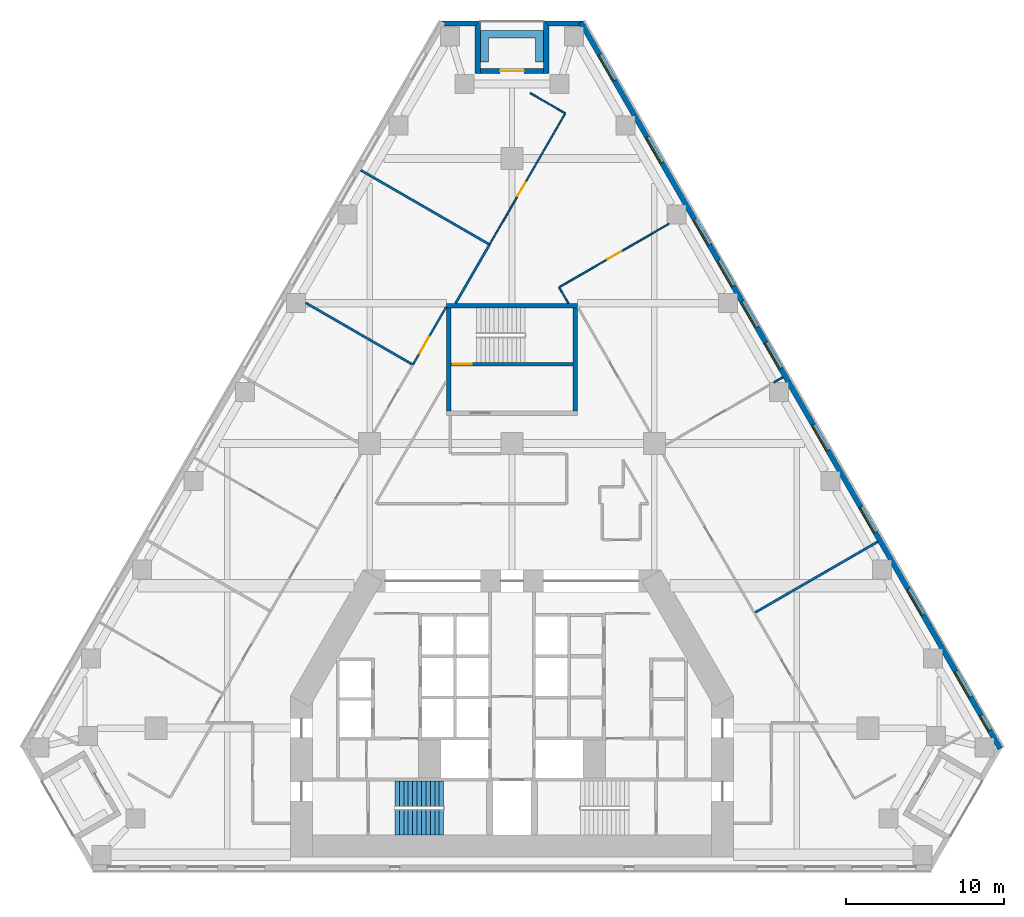
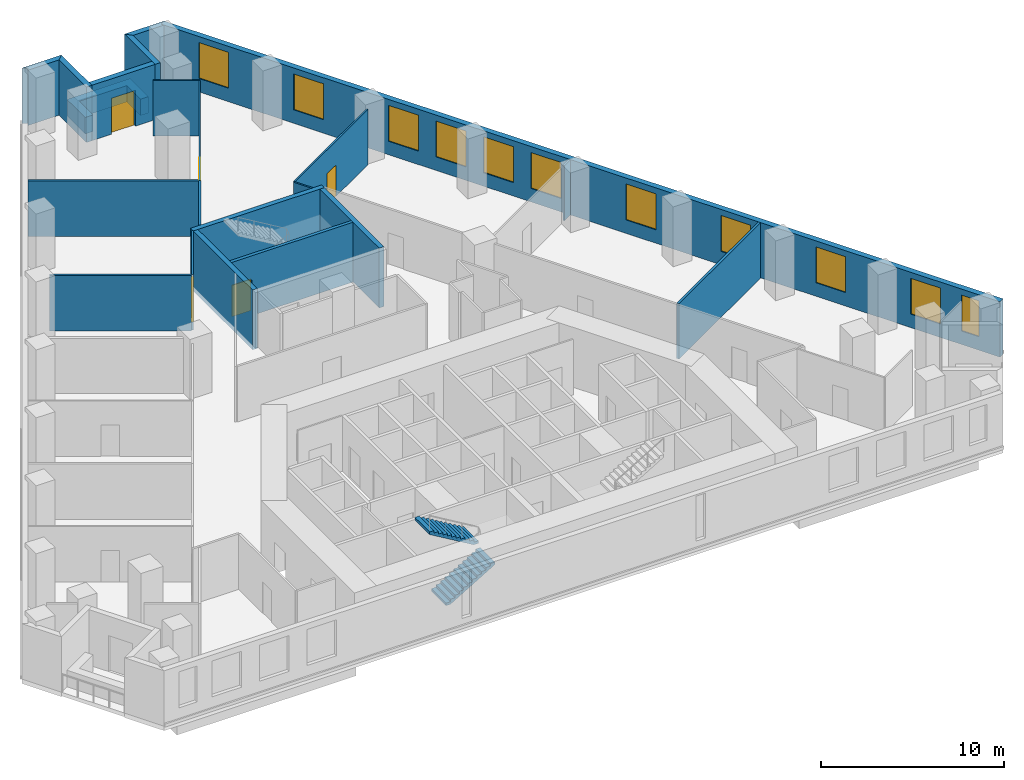
# One storey, part 7 of 9: 21 walls, 11 windows, 5 doors, 2 stair flights, 16 openings, 1 element without a shape of its own.
"""IFC4 building model written with IfcOpenShell, lengths in metres."""

from ifc_helpers import new_model, si_unit, direction, frame, frame_2d, origin, place, context, subcontext, project, spatial, polyline, rectangle, outline, extrude, material, layer, layer_set, type_object, element, fill, aggregate, save


model = new_model("IFC4")

# Units and contexts
model_context = context("Model", 3, precision=1e-05, world=origin(), true_north=direction((0.0, 1.0)))
body_context = subcontext(model_context, "Body", "Model", "MODEL_VIEW")
ifc_project = project(units=[si_unit("LENGTHUNIT", "METRE"), si_unit("AREAUNIT", "SQUARE_METRE"), si_unit("VOLUMEUNIT", "CUBIC_METRE"), si_unit("PLANEANGLEUNIT", "RADIAN"), si_unit("MASSUNIT", "GRAM", prefix="KILO")], contexts=[model_context])

# Site, building, storey
site_placement = place(None, origin())
site = spatial("IfcSite", under=ifc_project, at=site_placement, CompositionType="ELEMENT")
building_placement = place(site_placement, origin())
building = spatial("IfcBuilding", under=site, at=building_placement, Name="Fogline Exchange Tower", CompositionType="ELEMENT")
storey_placement = place(building_placement, frame((0.0, 0.0, 84.89990234375)))
storey = spatial("IfcBuildingStorey", under=building, at=storey_placement, Name="L18", CompositionType="ELEMENT", Elevation=84.89990234375)

# Wall, opening, door
ifc_material_1 = material(Name="Concrete C40", Category="concrete")
ifc_layer_1 = layer(ifc_material_1, 0.199951171875)
ifc_layer_set_1 = layer_set([ifc_layer_1], Name="CW20R")
wall_type_1 = type_object("IfcWallType", Name="CW20R", PredefinedType="SOLIDWALL", material=ifc_layer_set_1)
wall_1_placement = place(storey_placement, frame((-3.85009765625, 32.007080078125, -0.2998046875), z_axis=(0.0, 0.0, 1.0), x_axis=(1.0, 0.0, 0.0)))
wall_1 = element("IfcWall", 1, at=wall_1_placement, inside=storey, type_object=wall_type_1, Name="Stair enclosure wall ST3", PredefinedType="SOLIDWALL", context=body_context, shape_type="SweptSolid", body=[
    extrude(rectangle(XDim=7.7001953125, YDim=0.199951171875, at=frame_2d((3.85009765625, 0.0))), origin(), (0.0, 0.0, 1.0), 4.0),
])
opening_1_placement = place(wall_1_placement, frame((0.10009765625, 0.0, 0.300048828125)))
opening_1 = element("IfcOpeningElement", 2, at=opening_1_placement, cuts=wall_1, Name="Opening T05-C024", PredefinedType="OPENING", context=body_context, shape_type="SweptSolid", body=[
    extrude(rectangle(XDim=1.199951171875, YDim=2.10009765625, at=frame_2d((0.60009765625, 1.050048828125))), frame((0.0, 0.10986328125, 0.0), z_axis=(0.0, -1.0, 0.0), x_axis=(1.0, 0.0, 0.0)), (0.0, 0.0, 1.0), 0.219970703125),
])
ifc_material_2 = material(Name="Steel and timber fire door", Category="steel")
door_type_1 = type_object("IfcDoorType", Name="D-ST1", OperationType="SINGLE_SWING_LEFT", PredefinedType="DOOR", material=ifc_material_2)
door_1_placement = place(opening_1_placement, origin())
door_1 = element("IfcDoor", 3, at=door_1_placement, inside=storey, type_object=door_type_1, Name="Stair door ST3", OperationType="SINGLE_SWING_LEFT", OverallHeight=2.10009765625, OverallWidth=1.199951171875, PredefinedType="DOOR", context=body_context, shape_type="SweptSolid", body=[
    extrude(rectangle(XDim=1.199951171875, YDim=2.10009765625, at=frame_2d((0.60009765625, 1.050048828125))), frame((0.0, 0.02490234375, 0.0), z_axis=(0.0, -1.0, 0.0), x_axis=(1.0, 0.0, 0.0)), (0.0, 0.0, 1.0), 0.050048828125),
])
fill(opening_1, door_1)

# Walls
ifc_layer_2 = layer(ifc_material_1, 0.300048828125)
ifc_layer_set_2 = layer_set([ifc_layer_2], Name="CW30")
wall_type_2 = type_object("IfcWallType", Name="CW30", PredefinedType="SOLIDWALL", material=ifc_layer_set_2)
wall_2_placement = place(storey_placement, frame((-4.14990234375, 35.70703125, -0.2998046875), z_axis=(0.0, 0.0, 1.0), x_axis=(1.0, 0.0, 0.0)))
element("IfcWall", 4, at=wall_2_placement, inside=storey, type_object=wall_type_2, Name="Stair enclosure wall ST3", PredefinedType="SOLIDWALL", context=body_context, shape_type="SweptSolid", body=[
    extrude(rectangle(XDim=8.2998046875, YDim=0.300048828125, at=frame_2d((4.14990234375, 0.0))), origin(), (0.0, 0.0, 1.0), 4.0),
])
for number, where, z_axis, x_axis, name in (
    (5, (-4.0, 29.056884765625, -0.2998046875), (0.0, 0.0, 1.0), (0.0, 1.0, 0.0), "Stair enclosure wall ST3"),
    (6, (4.0, 29.056884765625, -0.2998046875), (0.0, 0.0, 1.0), (0.0, 1.0, 0.0), "Stair enclosure wall ST3"),
):
    element("IfcWall", number, at=place(storey_placement, frame(where, z_axis=z_axis, x_axis=x_axis)), inside=storey, type_object=wall_type_2, Name=name, PredefinedType="SOLIDWALL", context=body_context, shape_type="SweptSolid", body=[
        extrude(rectangle(XDim=6.5, YDim=0.300048828125, at=frame_2d((3.25, 0.0))), origin(), (0.0, 0.0, 1.0), 4.0),
    ])

# Wall, openings, windows
ifc_material_3 = material(Name="Brick masonry", Category="masonry")
ifc_layer_3 = layer(ifc_material_3, 0.340087890625)
ifc_layer_set_3 = layer_set([ifc_layer_3], Name="FW1")
wall_type_3 = type_object("IfcWallType", Name="FW1", PredefinedType="SOLIDWALL", material=ifc_layer_set_3)
wall_3_placement = place(storey_placement, frame((30.86328125, 7.709228515625, 0.0), z_axis=(0.0, 0.0, 1.0), x_axis=(-0.500000400847, 0.866025172355, 0.0)))
wall_3 = element("IfcWall", 7, at=wall_3_placement, inside=storey, type_object=wall_type_3, Name="Brick wall L18 E", PredefinedType="SOLIDWALL", context=body_context, shape_type="SweptSolid", body=[
    extrude(rectangle(XDim=53.02099609375, YDim=0.340087890625, at=frame_2d((26.510498046875, 0.0))), origin(), (0.0, 0.0, 1.0), 3.7001953125),
])
opening_2_placement = place(wall_3_placement, frame((3.755126953125, 0.0, 0.89990234375)))
opening_2 = element("IfcOpeningElement", 8, at=opening_2_placement, cuts=wall_3, Name="Opening W1", PredefinedType="OPENING", context=body_context, shape_type="SweptSolid", body=[
    extrude(rectangle(XDim=1.885009765625, YDim=2.39990234375, at=frame_2d((0.9423828125, 1.199951171875))), frame((0.0, 0.18017578125, 0.0), z_axis=(0.0, -1.0, 0.0), x_axis=(1.0, 0.0, 0.0)), (0.0, 0.0, 1.0), 0.360107421875),
])
opening_3_placement = place(wall_3_placement, frame((9.755126953125, 0.0, 0.89990234375)))
opening_3 = element("IfcOpeningElement", 9, at=opening_3_placement, cuts=wall_3, Name="Opening W1", PredefinedType="OPENING", context=body_context, shape_type="SweptSolid", body=[
    extrude(rectangle(XDim=1.885009765625, YDim=2.39990234375, at=frame_2d((0.9423828125, 1.199951171875))), frame((0.0, 0.18017578125, 0.0), z_axis=(0.0, -1.0, 0.0), x_axis=(1.0, 0.0, 0.0)), (0.0, 0.0, 1.0), 0.360107421875),
])
opening_4_placement = place(wall_3_placement, frame((15.755126953125, 0.0, 0.89990234375)))
opening_4 = element("IfcOpeningElement", 10, at=opening_4_placement, cuts=wall_3, Name="Opening W1", PredefinedType="OPENING", context=body_context, shape_type="SweptSolid", body=[
    extrude(rectangle(XDim=1.885009765625, YDim=2.39990234375, at=frame_2d((0.9423828125, 1.199951171875))), frame((0.0, 0.18017578125, 0.0), z_axis=(0.0, -1.0, 0.0), x_axis=(1.0, 0.0, 0.0)), (0.0, 0.0, 1.0), 0.360107421875),
])
opening_5_placement = place(wall_3_placement, frame((21.755126953125, 0.0, 0.89990234375)))
opening_5 = element("IfcOpeningElement", 11, at=opening_5_placement, cuts=wall_3, Name="Opening W1", PredefinedType="OPENING", context=body_context, shape_type="SweptSolid", body=[
    extrude(rectangle(XDim=1.885009765625, YDim=2.39990234375, at=frame_2d((0.9423828125, 1.199951171875))), frame((0.0, 0.18017578125, 0.0), z_axis=(0.0, -1.0, 0.0), x_axis=(1.0, 0.0, 0.0)), (0.0, 0.0, 1.0), 0.360107421875),
])
opening_6_placement = place(wall_3_placement, frame((27.755126953125, 0.0, 0.89990234375)))
opening_6 = element("IfcOpeningElement", 12, at=opening_6_placement, cuts=wall_3, Name="Opening W1", PredefinedType="OPENING", context=body_context, shape_type="SweptSolid", body=[
    extrude(rectangle(XDim=1.885009765625, YDim=2.39990234375, at=frame_2d((0.9423828125, 1.199951171875))), frame((0.0, 0.18017578125, 0.0), z_axis=(0.0, -1.0, 0.0), x_axis=(1.0, 0.0, 0.0)), (0.0, 0.0, 1.0), 0.360107421875),
])
opening_7_placement = place(wall_3_placement, frame((30.755126953125, 0.0, 0.89990234375)))
opening_7 = element("IfcOpeningElement", 13, at=opening_7_placement, cuts=wall_3, Name="Opening W1", PredefinedType="OPENING", context=body_context, shape_type="SweptSolid", body=[
    extrude(rectangle(XDim=1.885009765625, YDim=2.39990234375, at=frame_2d((0.9423828125, 1.199951171875))), frame((0.0, 0.18017578125, 0.0), z_axis=(0.0, -1.0, 0.0), x_axis=(1.0, 0.0, 0.0)), (0.0, 0.0, 1.0), 0.360107421875),
])
opening_8_placement = place(wall_3_placement, frame((33.755126953125, 0.0, 0.89990234375)))
opening_8 = element("IfcOpeningElement", 14, at=opening_8_placement, cuts=wall_3, Name="Opening W1", PredefinedType="OPENING", context=body_context, shape_type="SweptSolid", body=[
    extrude(rectangle(XDim=1.885009765625, YDim=2.39990234375, at=frame_2d((0.9423828125, 1.199951171875))), frame((0.0, 0.18017578125, 0.0), z_axis=(0.0, -1.0, 0.0), x_axis=(1.0, 0.0, 0.0)), (0.0, 0.0, 1.0), 0.360107421875),
])
opening_9_placement = place(wall_3_placement, frame((36.755126953125, 0.0, 0.89990234375)))
opening_9 = element("IfcOpeningElement", 15, at=opening_9_placement, cuts=wall_3, Name="Opening W1", PredefinedType="OPENING", context=body_context, shape_type="SweptSolid", body=[
    extrude(rectangle(XDim=1.885009765625, YDim=2.39990234375, at=frame_2d((0.9423828125, 1.199951171875))), frame((0.0, 0.18017578125, 0.0), z_axis=(0.0, -1.0, 0.0), x_axis=(1.0, 0.0, 0.0)), (0.0, 0.0, 1.0), 0.360107421875),
])
opening_10_placement = place(wall_3_placement, frame((42.755126953125, 0.0, 0.89990234375)))
opening_10 = element("IfcOpeningElement", 16, at=opening_10_placement, cuts=wall_3, Name="Opening W1", PredefinedType="OPENING", context=body_context, shape_type="SweptSolid", body=[
    extrude(rectangle(XDim=1.885009765625, YDim=2.39990234375, at=frame_2d((0.9423828125, 1.199951171875))), frame((0.0, 0.18017578125, 0.0), z_axis=(0.0, -1.0, 0.0), x_axis=(1.0, 0.0, 0.0)), (0.0, 0.0, 1.0), 0.360107421875),
])
opening_11_placement = place(wall_3_placement, frame((48.755126953125, 0.0, 0.89990234375)))
opening_11 = element("IfcOpeningElement", 17, at=opening_11_placement, cuts=wall_3, Name="Opening W1", PredefinedType="OPENING", context=body_context, shape_type="SweptSolid", body=[
    extrude(rectangle(XDim=1.885009765625, YDim=2.39990234375, at=frame_2d((0.9423828125, 1.199951171875))), frame((0.0, 0.18017578125, 0.0), z_axis=(0.0, -1.0, 0.0), x_axis=(1.0, 0.0, 0.0)), (0.0, 0.0, 1.0), 0.360107421875),
])
opening_12_placement = place(wall_3_placement, frame((1.320068359375, 0.0, 0.89990234375)))
opening_12 = element("IfcOpeningElement", 18, at=opening_12_placement, cuts=wall_3, Name="Opening W4", PredefinedType="OPENING", context=body_context, shape_type="SweptSolid", body=[
    extrude(rectangle(XDim=1.114990234375, YDim=2.39990234375, at=frame_2d((0.5576171875, 1.199951171875))), frame((0.0, 0.18017578125, 0.0), z_axis=(0.0, -1.0, 0.0), x_axis=(1.0, 0.0, 0.0)), (0.0, 0.0, 1.0), 0.360107421875),
])
ifc_material_4 = material(Name="Aluminium and glass", Category="aluminium")
window_type_1 = type_object("IfcWindowType", Name="W1", PartitioningType="SINGLE_PANEL", PredefinedType="WINDOW", material=ifc_material_4)
window_1_placement = place(opening_2_placement, origin())
window_1 = element("IfcWindow", 19, at=window_1_placement, inside=storey, type_object=window_type_1, Name="W1 W1", OverallHeight=2.39990234375, OverallWidth=1.885009765625, PartitioningType="SINGLE_PANEL", PredefinedType="WINDOW", context=body_context, shape_type="SweptSolid", body=[
    extrude(rectangle(XDim=1.885009765625, YDim=2.39990234375, at=frame_2d((0.9423828125, 1.199951171875))), frame((0.0, 0.110107421875, 0.0), z_axis=(0.0, -1.0, 0.0), x_axis=(1.0, 0.0, 0.0)), (0.0, 0.0, 1.0), 0.06005859375),
])
fill(opening_2, window_1)
window_2_placement = place(opening_3_placement, origin())
window_2 = element("IfcWindow", 20, at=window_2_placement, inside=storey, type_object=window_type_1, Name="W1 W1", OverallHeight=2.39990234375, OverallWidth=1.885009765625, PartitioningType="SINGLE_PANEL", PredefinedType="WINDOW", context=body_context, shape_type="SweptSolid", body=[
    extrude(rectangle(XDim=1.885009765625, YDim=2.39990234375, at=frame_2d((0.9423828125, 1.199951171875))), frame((0.0, 0.110107421875, 0.0), z_axis=(0.0, -1.0, 0.0), x_axis=(1.0, 0.0, 0.0)), (0.0, 0.0, 1.0), 0.06005859375),
])
fill(opening_3, window_2)
window_3_placement = place(opening_4_placement, origin())
window_3 = element("IfcWindow", 21, at=window_3_placement, inside=storey, type_object=window_type_1, Name="W1 W1", OverallHeight=2.39990234375, OverallWidth=1.885009765625, PartitioningType="SINGLE_PANEL", PredefinedType="WINDOW", context=body_context, shape_type="SweptSolid", body=[
    extrude(rectangle(XDim=1.885009765625, YDim=2.39990234375, at=frame_2d((0.9423828125, 1.199951171875))), frame((0.0, 0.110107421875, 0.0), z_axis=(0.0, -1.0, 0.0), x_axis=(1.0, 0.0, 0.0)), (0.0, 0.0, 1.0), 0.06005859375),
])
fill(opening_4, window_3)
window_4_placement = place(opening_5_placement, origin())
window_4 = element("IfcWindow", 22, at=window_4_placement, inside=storey, type_object=window_type_1, Name="W1 W1", OverallHeight=2.39990234375, OverallWidth=1.885009765625, PartitioningType="SINGLE_PANEL", PredefinedType="WINDOW", context=body_context, shape_type="SweptSolid", body=[
    extrude(rectangle(XDim=1.885009765625, YDim=2.39990234375, at=frame_2d((0.9423828125, 1.199951171875))), frame((0.0, 0.110107421875, 0.0), z_axis=(0.0, -1.0, 0.0), x_axis=(1.0, 0.0, 0.0)), (0.0, 0.0, 1.0), 0.06005859375),
])
fill(opening_5, window_4)
window_5_placement = place(opening_6_placement, origin())
window_5 = element("IfcWindow", 23, at=window_5_placement, inside=storey, type_object=window_type_1, Name="W1 W1", OverallHeight=2.39990234375, OverallWidth=1.885009765625, PartitioningType="SINGLE_PANEL", PredefinedType="WINDOW", context=body_context, shape_type="SweptSolid", body=[
    extrude(rectangle(XDim=1.885009765625, YDim=2.39990234375, at=frame_2d((0.9423828125, 1.199951171875))), frame((0.0, 0.110107421875, 0.0), z_axis=(0.0, -1.0, 0.0), x_axis=(1.0, 0.0, 0.0)), (0.0, 0.0, 1.0), 0.06005859375),
])
fill(opening_6, window_5)
window_6_placement = place(opening_7_placement, origin())
window_6 = element("IfcWindow", 24, at=window_6_placement, inside=storey, type_object=window_type_1, Name="W1 W1", OverallHeight=2.39990234375, OverallWidth=1.885009765625, PartitioningType="SINGLE_PANEL", PredefinedType="WINDOW", context=body_context, shape_type="SweptSolid", body=[
    extrude(rectangle(XDim=1.885009765625, YDim=2.39990234375, at=frame_2d((0.9423828125, 1.199951171875))), frame((0.0, 0.110107421875, 0.0), z_axis=(0.0, -1.0, 0.0), x_axis=(1.0, 0.0, 0.0)), (0.0, 0.0, 1.0), 0.06005859375),
])
fill(opening_7, window_6)
window_7_placement = place(opening_8_placement, origin())
window_7 = element("IfcWindow", 25, at=window_7_placement, inside=storey, type_object=window_type_1, Name="W1 W1", OverallHeight=2.39990234375, OverallWidth=1.885009765625, PartitioningType="SINGLE_PANEL", PredefinedType="WINDOW", context=body_context, shape_type="SweptSolid", body=[
    extrude(rectangle(XDim=1.885009765625, YDim=2.39990234375, at=frame_2d((0.9423828125, 1.199951171875))), frame((0.0, 0.110107421875, 0.0), z_axis=(0.0, -1.0, 0.0), x_axis=(1.0, 0.0, 0.0)), (0.0, 0.0, 1.0), 0.06005859375),
])
fill(opening_8, window_7)
window_8_placement = place(opening_9_placement, origin())
window_8 = element("IfcWindow", 26, at=window_8_placement, inside=storey, type_object=window_type_1, Name="W1 W1", OverallHeight=2.39990234375, OverallWidth=1.885009765625, PartitioningType="SINGLE_PANEL", PredefinedType="WINDOW", context=body_context, shape_type="SweptSolid", body=[
    extrude(rectangle(XDim=1.885009765625, YDim=2.39990234375, at=frame_2d((0.9423828125, 1.199951171875))), frame((0.0, 0.110107421875, 0.0), z_axis=(0.0, -1.0, 0.0), x_axis=(1.0, 0.0, 0.0)), (0.0, 0.0, 1.0), 0.06005859375),
])
fill(opening_9, window_8)
window_9_placement = place(opening_10_placement, origin())
window_9 = element("IfcWindow", 27, at=window_9_placement, inside=storey, type_object=window_type_1, Name="W1 W1", OverallHeight=2.39990234375, OverallWidth=1.885009765625, PartitioningType="SINGLE_PANEL", PredefinedType="WINDOW", context=body_context, shape_type="SweptSolid", body=[
    extrude(rectangle(XDim=1.885009765625, YDim=2.39990234375, at=frame_2d((0.9423828125, 1.199951171875))), frame((0.0, 0.110107421875, 0.0), z_axis=(0.0, -1.0, 0.0), x_axis=(1.0, 0.0, 0.0)), (0.0, 0.0, 1.0), 0.06005859375),
])
fill(opening_10, window_9)
window_10_placement = place(opening_11_placement, origin())
window_10 = element("IfcWindow", 28, at=window_10_placement, inside=storey, type_object=window_type_1, Name="W1 W1", OverallHeight=2.39990234375, OverallWidth=1.885009765625, PartitioningType="SINGLE_PANEL", PredefinedType="WINDOW", context=body_context, shape_type="SweptSolid", body=[
    extrude(rectangle(XDim=1.885009765625, YDim=2.39990234375, at=frame_2d((0.9423828125, 1.199951171875))), frame((0.0, 0.110107421875, 0.0), z_axis=(0.0, -1.0, 0.0), x_axis=(1.0, 0.0, 0.0)), (0.0, 0.0, 1.0), 0.06005859375),
])
fill(opening_11, window_10)
window_type_2 = type_object("IfcWindowType", Name="W4", PartitioningType="SINGLE_PANEL", PredefinedType="WINDOW", material=ifc_material_4)
window_11_placement = place(opening_12_placement, origin())
window_11 = element("IfcWindow", 29, at=window_11_placement, inside=storey, type_object=window_type_2, Name="W4 W4", OverallHeight=2.39990234375, OverallWidth=1.114990234375, PartitioningType="SINGLE_PANEL", PredefinedType="WINDOW", context=body_context, shape_type="SweptSolid", body=[
    extrude(rectangle(XDim=1.114990234375, YDim=2.39990234375, at=frame_2d((0.5576171875, 1.199951171875))), frame((0.0, 0.110107421875, 0.0), z_axis=(0.0, -1.0, 0.0), x_axis=(1.0, 0.0, 0.0)), (0.0, 0.0, 1.0), 0.06005859375),
])
fill(opening_12, window_11)

# Walls
wall_4_placement = place(storey_placement, origin())
element("IfcWall", 30, at=wall_4_placement, inside=storey, type_object=wall_type_3, Name="Brick wall L18 N-c1", PredefinedType="SOLIDWALL", context=body_context, shape_type="SweptSolid", body=[
    extrude(outline(polyline([(1.9990234375, 53.712158203125), (4.5009765625, 53.712158203125), (4.501220703125, 53.711669921875), (4.206298828125, 53.54150390625), (4.3046875, 53.37109375), (2.33984375, 53.37109375), (1.998779296875, 53.7119140625), (1.9990234375, 53.712158203125)])), origin(), (0.0, 0.0, 1.0), 3.7001953125),
])
wall_5_placement = place(storey_placement, origin())
element("IfcWall", 31, at=wall_5_placement, inside=storey, type_object=wall_type_3, Name="Brick wall L18 N-s1", PredefinedType="SOLIDWALL", context=body_context, shape_type="SweptSolid", body=[
    extrude(outline(polyline([(2.340576171875, 50.37109375), (1.99951171875, 50.37109375), (1.99951171875, 53.712646484375), (1.999755859375, 53.712890625), (2.340576171875, 53.371826171875), (2.340576171875, 50.37109375)])), origin(), (0.0, 0.0, 1.0), 3.7001953125),
])

# Wall, opening, door
wall_6_placement = place(storey_placement, frame((2.0, 50.541748046875, 0.0), z_axis=(0.0, 0.0, 1.0), x_axis=(-1.0, 0.0, 0.0)))
wall_6 = element("IfcWall", 32, at=wall_6_placement, inside=storey, type_object=wall_type_3, Name="Brick wall L18 N-bk", PredefinedType="SOLIDWALL", context=body_context, shape_type="SweptSolid", body=[
    extrude(rectangle(XDim=4.0, YDim=0.340087890625, at=frame_2d((2.0, 0.0))), origin(), (0.0, 0.0, 1.0), 3.7001953125),
])
opening_13_placement = place(wall_6_placement, frame((1.25, 0.0, 0.0)))
opening_13 = element("IfcOpeningElement", 33, at=opening_13_placement, cuts=wall_6, Name="Opening T05-E141", PredefinedType="OPENING", context=body_context, shape_type="SweptSolid", body=[
    extrude(rectangle(XDim=1.5, YDim=2.39990234375, at=frame_2d((0.75, 1.199951171875))), frame((0.0, 0.18017578125, 0.0), z_axis=(0.0, -1.0, 0.0), x_axis=(1.0, 0.0, 0.0)), (0.0, 0.0, 1.0), 0.360107421875),
])
door_type_2 = type_object("IfcDoorType", Name="ED4", OperationType="SINGLE_SWING_LEFT", PredefinedType="DOOR", material=ifc_material_4)
door_2_placement = place(opening_13_placement, frame((1.5, 0.0, 0.0), z_axis=(0.0, 0.0, 1.0), x_axis=(-1.0, 0.0, 0.0)))
door_2 = element("IfcDoor", 34, at=door_2_placement, inside=storey, type_object=door_type_2, Name="Balcony door L18 N", OperationType="DOUBLE_DOOR_SINGLE_SWING", OverallHeight=2.39990234375, OverallWidth=1.5, PredefinedType="DOOR", context=body_context, shape_type="SweptSolid", body=[
    extrude(rectangle(XDim=1.5, YDim=2.39990234375, at=frame_2d((0.75, 1.199951171875))), frame((0.0, 0.02490234375, 0.0), z_axis=(0.0, -1.0, 0.0), x_axis=(1.0, 0.0, 0.0)), (0.0, 0.0, 1.0), 0.050048828125),
])
fill(opening_13, door_2)

# Walls
wall_7_placement = place(storey_placement, origin())
element("IfcWall", 35, at=wall_7_placement, inside=storey, type_object=wall_type_3, Name="Brick wall L18 N-s2", PredefinedType="SOLIDWALL", context=body_context, shape_type="SweptSolid", body=[
    extrude(outline(polyline([(-1.99951171875, 53.712646484375), (-1.99951171875, 50.37109375), (-2.340576171875, 50.37109375), (-2.340576171875, 53.371826171875), (-1.999755859375, 53.712890625), (-1.99951171875, 53.712646484375)])), origin(), (0.0, 0.0, 1.0), 3.7001953125),
])
wall_8_placement = place(storey_placement, origin())
element("IfcWall", 36, at=wall_8_placement, inside=storey, type_object=wall_type_3, Name="Brick wall L18 N-c2", PredefinedType="SOLIDWALL", context=body_context, shape_type="SweptSolid", body=[
    extrude(outline(polyline([(-4.3046875, 53.37109375), (-4.206298828125, 53.54150390625), (-4.501220703125, 53.711669921875), (-4.5009765625, 53.712158203125), (-1.9990234375, 53.712158203125), (-1.998779296875, 53.7119140625), (-2.33984375, 53.37109375), (-4.3046875, 53.37109375)])), origin(), (0.0, 0.0, 1.0), 3.7001953125),
])
ifc_material_5 = material(Name="Concrete C30", Category="concrete")
ifc_layer_4 = layer(ifc_material_5, 0.199951171875)
ifc_layer_set_4 = layer_set([ifc_layer_4], Name="PL1")
wall_type_4 = type_object("IfcWallType", Name="PL1", PredefinedType="USERDEFINED", material=ifc_layer_set_4)
wall_9_placement = place(storey_placement, origin())
element("IfcWall", 37, at=wall_9_placement, inside=storey, type_object=wall_type_4, Name="PLANTER balcony L18 N", ObjectType="PLANTER", PredefinedType="USERDEFINED", context=body_context, shape_type="SweptSolid", body=[
    extrude(outline(polyline([(-1.5, 53.11181640625), (-2.0, 53.11181640625), (-2.0, 52.61181640625), (-2.0, 51.11181640625), (-1.5, 51.11181640625), (-1.5, 52.61181640625), (1.5, 52.61181640625), (1.5, 51.11181640625), (2.0, 51.11181640625), (2.0, 52.61181640625), (2.0, 53.11181640625), (1.5, 53.11181640625), (-1.5, 53.11181640625)])), origin(), (0.0, 0.0, 1.0), 1.10009765625),
])
ifc_material_6 = material(Name="Plasterboard partition, 2 layers each side on steel studs", Category="steel")
ifc_layer_5 = layer(ifc_material_6, 0.10009765625)
ifc_layer_set_5 = layer_set([ifc_layer_5], Name="PW1")
wall_type_5 = type_object("IfcWallType", Name="PW1", PredefinedType="PARTITIONING", material=ifc_layer_set_5)
wall_10_placement = place(storey_placement, frame((16.553955078125, 30.852783203125, 0.0), z_axis=(0.0, 0.0, 1.0), x_axis=(0.866016800201, 0.500014901547, 0.0)))
element("IfcWall", 38, at=wall_10_placement, inside=storey, type_object=wall_type_5, Name="wall-L18-W033", PredefinedType="PARTITIONING", context=body_context, shape_type="SweptSolid", body=[
    extrude(rectangle(XDim=0.650390625, YDim=0.10009765625, at=frame_2d((0.3251953125, 0.0))), origin(), (0.0, 0.0, 1.0), 3.7001953125),
])
wall_11_placement = place(storey_placement, frame((3.5615234375, 35.85693359375, 0.0), z_axis=(0.0, 0.0, 1.0), x_axis=(-0.499909086075, 0.866077886601, 0.0)))
element("IfcWall", 39, at=wall_11_placement, inside=storey, type_object=wall_type_5, Name="wall-L18-W035", PredefinedType="PARTITIONING", context=body_context, shape_type="SweptSolid", body=[
    extrude(rectangle(XDim=1.170166015625, YDim=0.10009765625, at=frame_2d((0.5849609375, 0.0))), origin(), (0.0, 0.0, 1.0), 3.7001953125),
])

# Wall, opening, door
wall_12_placement = place(storey_placement, frame((3.019775390625, 36.8955078125, 0.0), z_axis=(0.0, 0.0, 1.0), x_axis=(0.866030075383, 0.499991908467, 0.0)))
wall_12 = element("IfcWall", 40, at=wall_12_placement, inside=storey, type_object=wall_type_5, Name="wall-L18-W036", PredefinedType="PARTITIONING", context=body_context, shape_type="SweptSolid", body=[
    extrude(rectangle(XDim=7.973876953125, YDim=0.10009765625, at=frame_2d((3.98681640625, 0.0))), origin(), (0.0, 0.0, 1.0), 3.7001953125),
])
opening_14_placement = place(wall_12_placement, frame((3.48681640625, 0.0, 0.0)))
opening_14 = element("IfcOpeningElement", 41, at=opening_14_placement, cuts=wall_12, Name="Opening T05-D015", PredefinedType="OPENING", context=body_context, shape_type="SweptSolid", body=[
    extrude(rectangle(XDim=1.0, YDim=2.10009765625, at=frame_2d((0.5, 1.050048828125))), frame((0.0, 0.06005859375, 0.0), z_axis=(0.0, -1.0, 0.0), x_axis=(1.0, 0.0, 0.0)), (0.0, 0.0, 1.0), 0.1201171875),
])
ifc_material_7 = material(Name="Timber door leaf with steel frame", Category="steel")
door_type_3 = type_object("IfcDoorType", Name="D1", OperationType="SINGLE_SWING_LEFT", PredefinedType="DOOR", material=ifc_material_7)
door_3_placement = place(opening_14_placement, frame((1.0, 0.0, 0.0), z_axis=(0.0, 0.0, 1.0), x_axis=(-1.0, 0.0, 0.0)))
door_3 = element("IfcDoor", 42, at=door_3_placement, inside=storey, type_object=door_type_3, Name="door-L18-D015", OperationType="SINGLE_SWING_RIGHT", OverallHeight=2.10009765625, OverallWidth=1.0, PredefinedType="DOOR", context=body_context, shape_type="SweptSolid", body=[
    extrude(rectangle(XDim=1.0, YDim=2.10009765625, at=frame_2d((0.5, 1.050048828125))), frame((0.0, 0.02490234375, 0.0), z_axis=(0.0, -1.0, 0.0), x_axis=(1.0, 0.0, 0.0)), (0.0, 0.0, 1.0), 0.050048828125),
])
fill(opening_14, door_3)

wall_13_placement = place(storey_placement, frame((-1.4189453125, 39.568115234375, 0.0), z_axis=(0.0, 0.0, 1.0), x_axis=(0.499998303669, 0.866026383159, 0.0)))
wall_13 = element("IfcWall", 43, at=wall_13_placement, inside=storey, type_object=wall_type_5, Name="wall-L18-W037", PredefinedType="PARTITIONING", context=body_context, shape_type="SweptSolid", body=[
    extrude(rectangle(XDim=9.525390625, YDim=0.10009765625, at=frame_2d((4.7626953125, 0.0))), origin(), (0.0, 0.0, 1.0), 3.7001953125),
])
opening_15_placement = place(wall_13_placement, frame((3.533203125, 0.0, 0.0)))
opening_15 = element("IfcOpeningElement", 44, at=opening_15_placement, cuts=wall_13, Name="Opening T05-D016", PredefinedType="OPENING", context=body_context, shape_type="SweptSolid", body=[
    extrude(rectangle(XDim=1.0, YDim=2.10009765625, at=frame_2d((0.5, 1.050048828125))), frame((0.0, 0.06005859375, 0.0), z_axis=(0.0, -1.0, 0.0), x_axis=(1.0, 0.0, 0.0)), (0.0, 0.0, 1.0), 0.1201171875),
])
door_4_placement = place(opening_15_placement, origin())
door_4 = element("IfcDoor", 45, at=door_4_placement, inside=storey, type_object=door_type_3, Name="door-L18-D016", OperationType="SINGLE_SWING_LEFT", OverallHeight=2.10009765625, OverallWidth=1.0, PredefinedType="DOOR", context=body_context, shape_type="SweptSolid", body=[
    extrude(rectangle(XDim=1.0, YDim=2.10009765625, at=frame_2d((0.5, 1.050048828125))), frame((0.0, 0.02490234375, 0.0), z_axis=(0.0, -1.0, 0.0), x_axis=(1.0, 0.0, 0.0)), (0.0, 0.0, 1.0), 0.050048828125),
])
fill(opening_15, door_4)

# Wall
wall_14_placement = place(storey_placement, frame((3.36865234375, 47.860595703125, 0.0), z_axis=(0.0, 0.0, 1.0), x_axis=(-0.866023722158, 0.50000291265, 0.0)))
element("IfcWall", 46, at=wall_14_placement, inside=storey, type_object=wall_type_5, Name="wall-L18-W038", PredefinedType="PARTITIONING", context=body_context, shape_type="SweptSolid", body=[
    extrude(rectangle(XDim=2.56201171875, YDim=0.10009765625, at=frame_2d((1.281005859375, 0.0))), origin(), (0.0, 0.0, 1.0), 3.7001953125),
])

# Wall, opening, door
ifc_material_8 = material(Name="Plasterboard corridor partition with mineral wool, 2 layers each side")
ifc_layer_6 = layer(ifc_material_8, 0.125)
ifc_layer_set_6 = layer_set([ifc_layer_6], Name="PW2")
wall_type_6 = type_object("IfcWallType", Name="PW2", PredefinedType="PARTITIONING", material=ifc_layer_set_6)
wall_15_placement = place(storey_placement, frame((-6.265380859375, 31.973876953125, 0.0), z_axis=(0.0, 0.0, 1.0), x_axis=(0.500005503224, 0.866022226473, 0.0)))
wall_15 = element("IfcWall", 47, at=wall_15_placement, inside=storey, type_object=wall_type_6, Name="wall-L18-W010", PredefinedType="PARTITIONING", context=body_context, shape_type="SweptSolid", body=[
    extrude(rectangle(XDim=4.23095703125, YDim=0.125, at=frame_2d((2.115478515625, 0.0))), origin(), (0.0, 0.0, 1.0), 3.7001953125),
])
opening_16_placement = place(wall_15_placement, frame((0.8251953125, 0.0, 0.0)))
opening_16 = element("IfcOpeningElement", 48, at=opening_16_placement, cuts=wall_15, Name="Opening T05-D005", PredefinedType="OPENING", context=body_context, shape_type="SweptSolid", body=[
    extrude(rectangle(XDim=1.199951171875, YDim=2.10009765625, at=frame_2d((0.60009765625, 1.050048828125))), frame((0.0, 0.072509765625, 0.0), z_axis=(0.0, -1.0, 0.0), x_axis=(1.0, 0.0, 0.0)), (0.0, 0.0, 1.0), 0.14501953125),
])
ifc_material_9 = material(Name="Fire-rated glazed door leaf with steel frame", Category="steel")
door_type_4 = type_object("IfcDoorType", Name="D5", OperationType="SINGLE_SWING_LEFT", PredefinedType="DOOR", material=ifc_material_9)
door_5_placement = place(opening_16_placement, origin())
door_5 = element("IfcDoor", 49, at=door_5_placement, inside=storey, type_object=door_type_4, Name="door-L18-D005", OperationType="SINGLE_SWING_LEFT", OverallHeight=2.10009765625, OverallWidth=1.199951171875, PredefinedType="DOOR", context=body_context, shape_type="SweptSolid", body=[
    extrude(rectangle(XDim=1.199951171875, YDim=2.10009765625, at=frame_2d((0.60009765625, 1.050048828125))), frame((0.0, 0.02490234375, 0.0), z_axis=(0.0, -1.0, 0.0), x_axis=(1.0, 0.0, 0.0)), (0.0, 0.0, 1.0), 0.050048828125),
])
fill(opening_16, door_5)

# Walls
ifc_material_10 = material(Name="Plasterboard demising partition with mineral wool and acoustic board")
ifc_layer_7 = layer(ifc_material_10, 0.14990234375)
ifc_layer_set_7 = layer_set([ifc_layer_7], Name="PW3")
wall_type_7 = type_object("IfcWallType", Name="PW3", PredefinedType="PARTITIONING", material=ifc_layer_set_7)
wall_16_placement = place(storey_placement, frame((23.1171875, 20.785888671875, 0.0), z_axis=(0.0, 0.0, 1.0), x_axis=(-0.866029105215, -0.49999358888, 0.0)))
element("IfcWall", 50, at=wall_16_placement, inside=storey, type_object=wall_type_7, Name="wall-L18-W034", PredefinedType="PARTITIONING", context=body_context, shape_type="SweptSolid", body=[
    extrude(rectangle(XDim=8.9375, YDim=0.14990234375, at=frame_2d((4.46875, 0.0))), origin(), (0.0, 0.0, 1.0), 3.7001953125),
])
wall_17_placement = place(storey_placement, frame((-3.5615234375, 35.85693359375, 0.0), z_axis=(0.0, 0.0, 1.0), x_axis=(0.49998711961, 0.866032840154, 0.0)))
element("IfcWall", 51, at=wall_17_placement, inside=storey, type_object=wall_type_7, Name="wall-L18-W039", PredefinedType="PARTITIONING", context=body_context, shape_type="SweptSolid", body=[
    extrude(rectangle(XDim=4.28515625, YDim=0.14990234375, at=frame_2d((2.142578125, 0.0))), origin(), (0.0, 0.0, 1.0), 3.7001953125),
])
wall_18_placement = place(storey_placement, frame((-1.48388671875, 39.605712890625, 0.0), z_axis=(0.0, 0.0, 1.0), x_axis=(-0.866032117483, 0.499988371352, 0.0)))
element("IfcWall", 52, at=wall_18_placement, inside=storey, type_object=wall_type_7, Name="wall-L18-W040", PredefinedType="PARTITIONING", context=body_context, shape_type="SweptSolid", body=[
    extrude(rectangle(XDim=9.324951171875, YDim=0.14990234375, at=frame_2d((4.66259765625, 0.0))), origin(), (0.0, 0.0, 1.0), 3.7001953125),
])
wall_19_placement = place(storey_placement, frame((-6.319580078125, 32.005126953125, 0.0), z_axis=(0.0, 0.0, 1.0), x_axis=(-0.866020215416, 0.50000898641, 0.0)))
element("IfcWall", 53, at=wall_19_placement, inside=storey, type_object=wall_type_7, Name="wall-L18-W041", PredefinedType="PARTITIONING", context=body_context, shape_type="SweptSolid", body=[
    extrude(rectangle(XDim=7.768798828125, YDim=0.14990234375, at=frame_2d((3.88427734375, 0.0))), origin(), (0.0, 0.0, 1.0), 3.7001953125),
])

# Stair, stair flights
stair_type = type_object("IfcStairType", Name="STR24-1667", PredefinedType="HALF_TURN_STAIR", material=ifc_material_1)
stair_placement = place(storey_placement, origin())
stair = element("IfcStair", 54, at=stair_placement, inside=storey, type_object=stair_type, Name="Stair ST1", PredefinedType="HALF_TURN_STAIR")
stair_flight_type = type_object("IfcStairFlightType", Name="SF12-1667", PredefinedType="STRAIGHT", material=ifc_material_1)
stair_flight_1_placement = place(storey_placement, frame((-7.39990234375, 3.050048828125, 0.0), z_axis=(0.0, 0.0, 1.0), x_axis=(1.0, 0.0, 0.0)))
stair_flight_1 = element("IfcStairFlight", 55, at=stair_flight_1_placement, type_object=stair_flight_type, Name="ST1 flight 1", NumberOfRisers=12, NumberOfTreads=11, PredefinedType="STRAIGHT", RiserHeight=0.166666667, TreadLength=0.28, context=body_context, shape_type="SweptSolid", body=[
    extrude(outline(polyline([(0.0, 0.0), (0.0, 0.166748046875), (0.280029296875, 0.166748046875), (0.280029296875, 0.333251953125), (0.56005859375, 0.333251953125), (0.56005859375, 0.5), (0.840087890625, 0.5), (0.840087890625, 0.666748046875), (1.1201171875, 0.666748046875), (1.1201171875, 0.833251953125), (1.39990234375, 0.833251953125), (1.39990234375, 1.0), (1.679931640625, 1.0), (1.679931640625, 1.166748046875), (1.9599609375, 1.166748046875), (1.9599609375, 1.333251953125), (2.239990234375, 1.333251953125), (2.239990234375, 1.5), (2.52001953125, 1.5), (2.52001953125, 1.666748046875), (2.800048828125, 1.666748046875), (2.800048828125, 1.833251953125), (3.080078125, 1.833251953125), (3.080078125, 2.0), (3.080078125, 1.658935546875), (0.29296875, 0.0), (0.0, 0.0)])), frame((0.0, 0.800048828125, 0.0), z_axis=(0.0, -1.0, 0.0), x_axis=(1.0, 0.0, 0.0)), (0.0, 0.0, 1.0), 1.60009765625),
])
stair_flight_2_placement = place(storey_placement, frame((-4.320068359375, 4.85009765625, 2.0), z_axis=(0.0, 0.0, 1.0), x_axis=(-1.0, 0.0, 0.0)))
stair_flight_2 = element("IfcStairFlight", 56, at=stair_flight_2_placement, type_object=stair_flight_type, Name="ST1 flight 2", NumberOfRisers=12, NumberOfTreads=11, PredefinedType="STRAIGHT", RiserHeight=0.166666667, TreadLength=0.28, context=body_context, shape_type="SweptSolid", body=[
    extrude(outline(polyline([(0.0, 0.0), (0.0, 0.166748046875), (0.280029296875, 0.166748046875), (0.280029296875, 0.333251953125), (0.56005859375, 0.333251953125), (0.56005859375, 0.5), (0.840087890625, 0.5), (0.840087890625, 0.666748046875), (1.1201171875, 0.666748046875), (1.1201171875, 0.833251953125), (1.39990234375, 0.833251953125), (1.39990234375, 1.0), (1.679931640625, 1.0), (1.679931640625, 1.166748046875), (1.9599609375, 1.166748046875), (1.9599609375, 1.333251953125), (2.239990234375, 1.333251953125), (2.239990234375, 1.5), (2.52001953125, 1.5), (2.52001953125, 1.666748046875), (2.800048828125, 1.666748046875), (2.800048828125, 1.833251953125), (3.080078125, 1.833251953125), (3.080078125, 2.0), (3.080078125, 1.658935546875), (0.29296875, 0.0), (0.0, 0.0)])), frame((0.0, 0.800048828125, 0.0), z_axis=(0.0, -1.0, 0.0), x_axis=(1.0, 0.0, 0.0)), (0.0, 0.0, 1.0), 1.60009765625),
])
aggregate(stair, [stair_flight_1, stair_flight_2])

save(model, "model.ifc")
